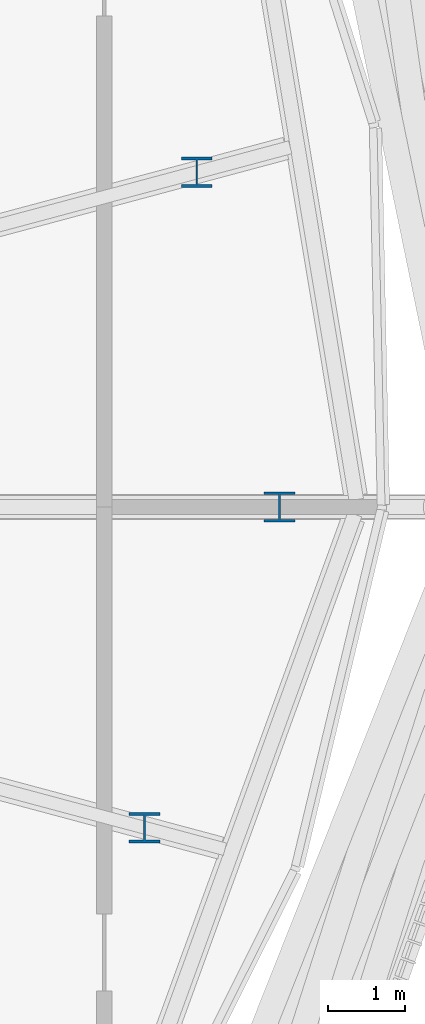
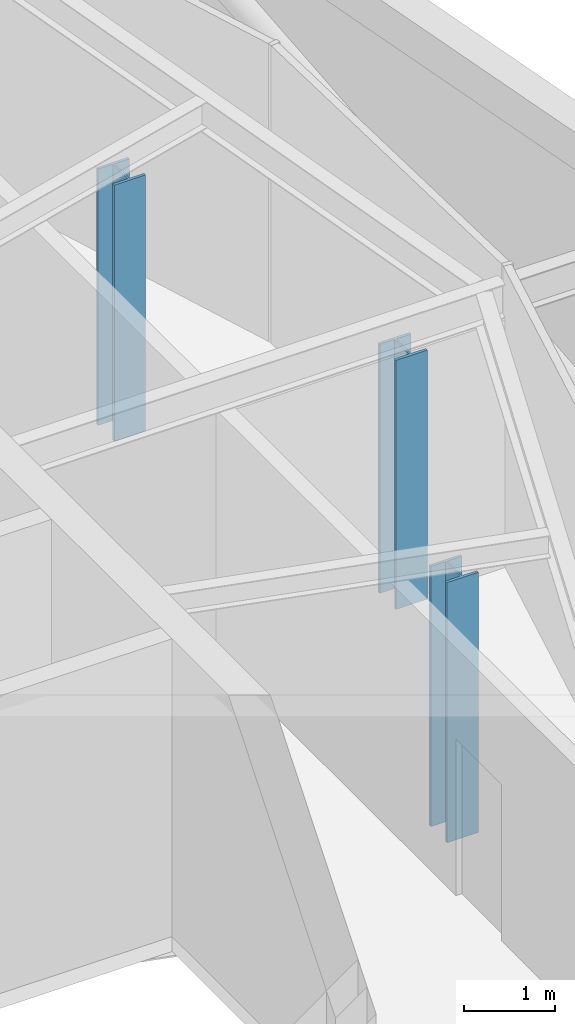
# One storey, part 2 of 71: 3 columns.
"""IFC4 building model written with IfcOpenShell, lengths in metres."""

from ifc_helpers import new_model, si_unit, direction, frame, origin, origin_2d, place, context, subcontext, project, spatial, i_section, extrude, material, material_profile, profile_set, type_object, element, save


model = new_model("IFC4")

# Units and contexts
model_context = context("Model", 3, precision=1e-05, world=origin(), true_north=direction((0.0, 1.0)))
body_context = subcontext(model_context, "Body", "Model", "MODEL_VIEW")
ifc_project = project(units=[si_unit("LENGTHUNIT", "METRE"), si_unit("AREAUNIT", "SQUARE_METRE"), si_unit("VOLUMEUNIT", "CUBIC_METRE"), si_unit("PLANEANGLEUNIT", "RADIAN"), si_unit("MASSUNIT", "GRAM", prefix="KILO")], contexts=[model_context])

# Site, building, storey
site_placement = place(None, origin())
site = spatial("IfcSite", under=ifc_project, at=site_placement, CompositionType="ELEMENT")
building_placement = place(site_placement, origin())
building = spatial("IfcBuilding", under=site, at=building_placement, Name="Rimbun Link Towers", CompositionType="ELEMENT")
storey_placement = place(building_placement, frame((0.0, 0.0, 267.60009765625)))
storey = spatial("IfcBuildingStorey", under=building, at=storey_placement, Name="L65", CompositionType="ELEMENT", Elevation=267.60009765625)

# Columns
ifc_material = material(Name="Steel S355J2", Category="steel")
ifc_material_profile = material_profile(ifc_material, i_section(OverallWidth=0.39892578125, OverallDepth=0.3935546875, WebThickness=0.022705078125, FlangeThickness=0.03662109375, at=origin_2d()), Name="UC 356x406x287")
ifc_profile_set = profile_set([ifc_material_profile], Name="Steel S355J2")
column_type = type_object("IfcColumnType", Name="UC 356x406x287", PredefinedType="COLUMN", material=ifc_profile_set)
column_1_placement = place(storey_placement, frame((47.270751953125, -4.15869140625, 0.0), z_axis=(0.0, 0.0, 1.0), x_axis=(1.0, 0.0, 0.0)))
element("IfcColumn", 1, at=column_1_placement, inside=storey, type_object=column_type, Name="Crease post T2 L64 20", PredefinedType="COLUMN", context=body_context, shape_type="SweptSolid", body=[
    extrude(i_section(OverallWidth=0.39892578125, OverallDepth=0.3935546875, WebThickness=0.022705078125, FlangeThickness=0.03662109375, at=origin_2d()), origin(), (0.0, 0.0, 1.0), 3.49658203125),
])
column_2_placement = place(storey_placement, frame((49.0224609375, 0.0, 0.0), z_axis=(0.0, 0.0, 1.0), x_axis=(1.0, 0.0, 0.0)))
element("IfcColumn", 2, at=column_2_placement, inside=storey, type_object=column_type, Name="Crease post T2 L64 21", PredefinedType="COLUMN", context=body_context, shape_type="SweptSolid", body=[
    extrude(i_section(OverallWidth=0.39892578125, OverallDepth=0.3935546875, WebThickness=0.022705078125, FlangeThickness=0.03662109375, at=origin_2d()), origin(), (0.0, 0.0, 1.0), 3.346435546875),
])
column_3_placement = place(storey_placement, frame((47.947998046875, 4.340087890625, 0.0), z_axis=(0.0, 0.0, 1.0), x_axis=(1.0, 0.0, 0.0)))
element("IfcColumn", 3, at=column_3_placement, inside=storey, type_object=column_type, Name="Crease post T2 L64 22", PredefinedType="COLUMN", context=body_context, shape_type="SweptSolid", body=[
    extrude(i_section(OverallWidth=0.39892578125, OverallDepth=0.3935546875, WebThickness=0.022705078125, FlangeThickness=0.03662109375, at=origin_2d()), origin(), (0.0, 0.0, 1.0), 3.44482421875),
])

save(model, "model.ifc")
